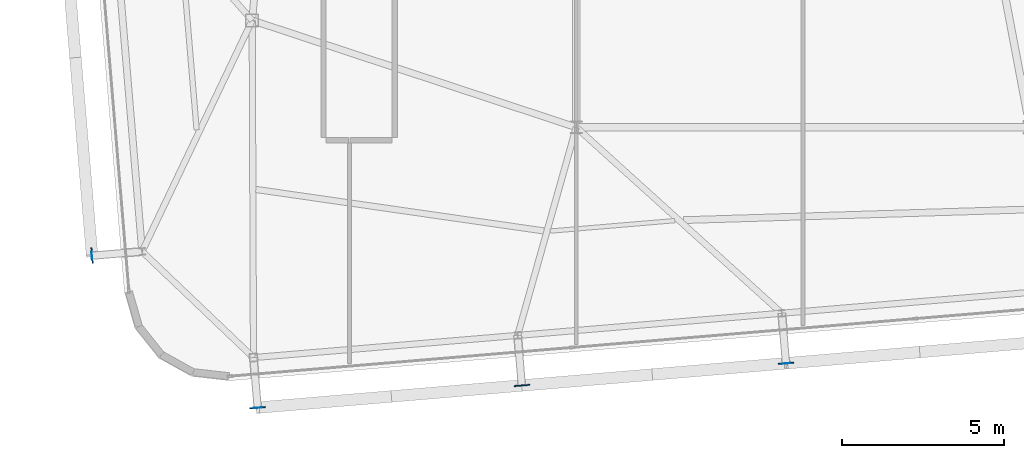
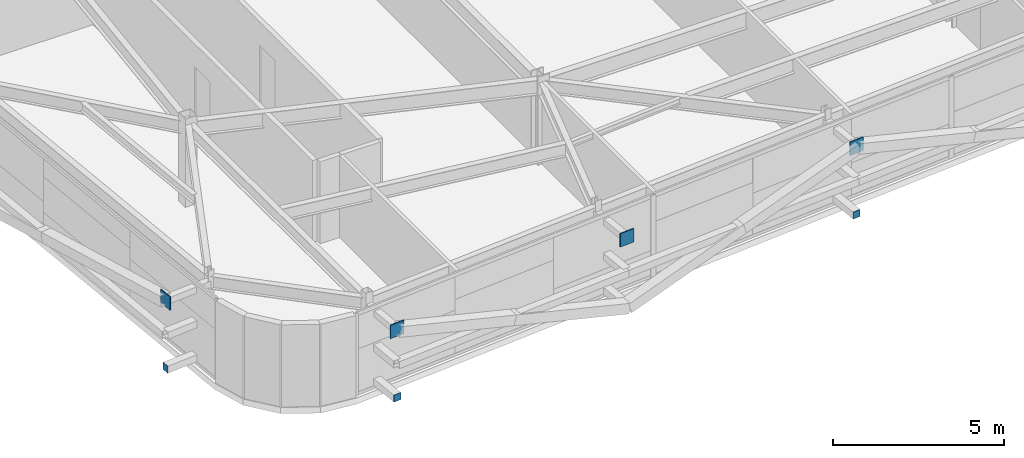
# One storey, part 27 of 37: 7 plates.
"""IFC4 building model written with IfcOpenShell, lengths in metres."""

from ifc_helpers import new_model, si_unit, direction, frame, origin, origin_2d, place, context, subcontext, project, spatial, rectangle, extrude, source, transform, mapped, material, layer, layer_set, type_object, element, save


model = new_model("IFC4")

# Units and contexts
model_context = context("Model", 3, precision=1e-05, world=origin(), true_north=direction((0.0, 1.0)))
body_context = subcontext(model_context, "Body", "Model", "MODEL_VIEW")
ifc_project = project(units=[si_unit("LENGTHUNIT", "METRE"), si_unit("AREAUNIT", "SQUARE_METRE"), si_unit("VOLUMEUNIT", "CUBIC_METRE"), si_unit("PLANEANGLEUNIT", "RADIAN"), si_unit("MASSUNIT", "GRAM", prefix="KILO")], contexts=[model_context])

# Site, building, storey
site_placement = place(None, origin())
site = spatial("IfcSite", under=ifc_project, at=site_placement, CompositionType="ELEMENT")
building_placement = place(site_placement, origin())
building = spatial("IfcBuilding", under=site, at=building_placement, Name="Taldren Reach Tower", CompositionType="ELEMENT")
storey_placement = place(building_placement, frame((0.0, 0.0, 182.0)))
storey = spatial("IfcBuildingStorey", under=building, at=storey_placement, Name="L55", CompositionType="ELEMENT", Elevation=182.0)

# Plates
ifc_material_1 = material(Name="Steel Gr 350 (C350L0)", Category="steel")
ifc_layer_1 = layer(ifc_material_1, 0.011962890625)
ifc_layer_set_1 = layer_set([ifc_layer_1], Name="Steel Gr 350 (C350L0)")
plate_type_1 = type_object("IfcPlateType", Name="PL-CAP-250", PredefinedType="SHEET", material=ifc_layer_set_1)
shared_shape_1 = source(origin(), body_context, "Body", "SweptSolid", [
    extrude(rectangle(XDim=0.25, YDim=0.011962890625, at=origin_2d()), origin(), (0.0, 0.0, 1.0), 0.25),
])
for number, where, z_axis, x_axis, name in (
    (1, (18.169921875, 0.54345703125, 0.094970703125), (0.0, 0.0, 1.0), (0.99649285925, 0.083677843332, 0.0), "Tie strut end cap plate B4-S1 L55"),
    (2, (34.472412109375, 1.912353515625, 0.094970703125), (0.0, 0.0, 1.0), (0.99649285925, 0.083677843332, 0.0), "Tie strut end cap plate B4-S3 L55"),
):
    element("IfcPlate", number, at=place(storey_placement, frame(where, z_axis=z_axis, x_axis=x_axis)), inside=storey, type_object=plate_type_1, Name=name, PredefinedType="SHEET", context=body_context, shape_type="MappedRepresentation", body=[
        mapped(shared_shape_1, transform((0.0, 0.0, 0.0), scale=1.0)),
    ])
shared_shape_2 = source(origin(), body_context, "Body", "SweptSolid", [
    extrude(rectangle(XDim=0.011962890625, YDim=0.25, at=origin_2d()), origin(), (0.0, 0.0, 1.0), 0.25),
])
plate_placement = place(storey_placement, frame((13.052978515625, 5.23779296875, 0.094970703125), z_axis=(0.0, 0.0, 1.0), x_axis=(0.99649285925, 0.083677843332, 0.0)))
element("IfcPlate", 3, at=plate_placement, inside=storey, type_object=plate_type_1, Name="Tie strut end cap plate B4-W1 L55", PredefinedType="SHEET", context=body_context, shape_type="MappedRepresentation", body=[
    mapped(shared_shape_2, transform((0.0, 0.0, 0.0), scale=1.0)),
])
ifc_material_2 = material(Name="Steel Gr 450 (C450L0)", Category="steel")
ifc_layer_2 = layer(ifc_material_2, 0.031982421875)
ifc_layer_set_2 = layer_set([ifc_layer_2], Name="Steel Gr 450 (C450L0)")
plate_type_2 = type_object("IfcPlateType", Name="PL-GUSSET-32", PredefinedType="SHEET", material=ifc_layer_set_2)
shared_shape_3 = source(origin(), body_context, "Body", "SweptSolid", [
    extrude(rectangle(XDim=0.47998046875, YDim=0.031982421875, at=origin_2d()), origin(), (0.0, 0.0, 1.0), 0.47998046875),
])
for number, where, z_axis, x_axis, name in (
    (4, (18.16943359375, 0.549560546875, 2.409912109375), (0.0, 0.0, 1.0), (0.99649285925, 0.083677843332, 0.0), "Exoskeleton star-node gusset plate B4-S1 L55"),
    (5, (26.320556640625, 1.23388671875, 2.409912109375), (0.0, 0.0, 1.0), (0.99649285925, 0.083677843332, 0.0), "Exoskeleton star-node gusset plate B4-S2 L55"),
    (6, (34.471923828125, 1.91845703125, 2.409912109375), (0.0, 0.0, 1.0), (0.99649285925, 0.083677843332, 0.0), "Exoskeleton star-node gusset plate B4-S3 L55"),
    (7, (13.05908203125, 5.23828125, 2.409912109375), (0.0, 0.0, 1.0), (-0.083677843332, 0.99649285925, 0.0), "Exoskeleton star-node gusset plate B4-W1 L55"),
):
    element("IfcPlate", number, at=place(storey_placement, frame(where, z_axis=z_axis, x_axis=x_axis)), inside=storey, type_object=plate_type_2, Name=name, PredefinedType="SHEET", context=body_context, shape_type="MappedRepresentation", body=[
        mapped(shared_shape_3, transform((0.0, 0.0, 0.0), scale=1.0)),
    ])

save(model, "model.ifc")
